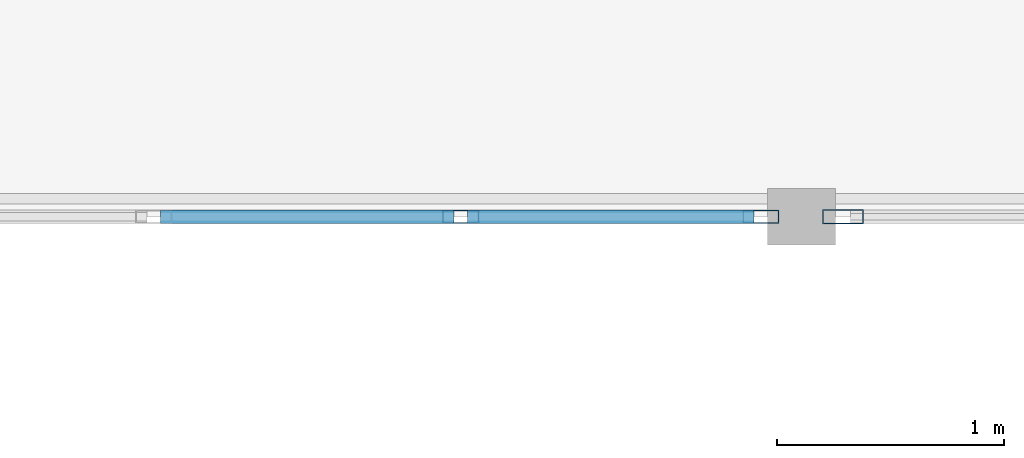
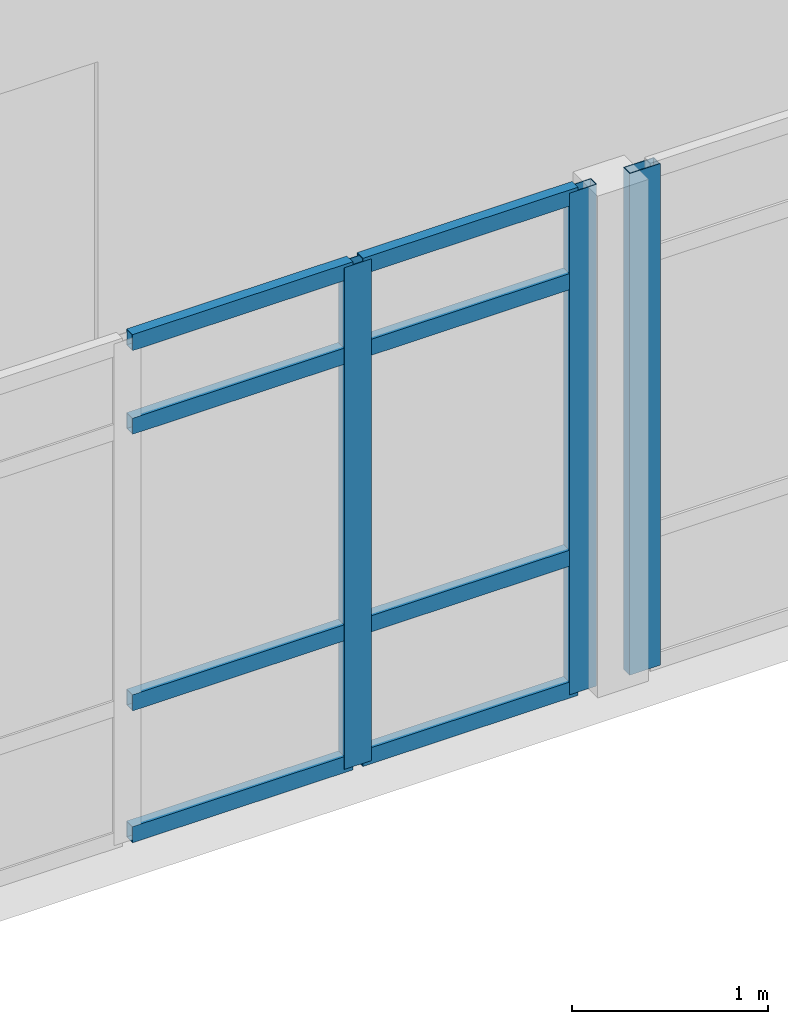
# One storey, part 15 of 37: 11 members, 2 elements without a shape of their own.
"""IFC4 building model written with IfcOpenShell, lengths in metres."""

import ifcopenshell
import ifcopenshell.guid

model = None  # the IFC model being written
_history = None  # IfcOwnerHistory: only IFC2X3 demands one
_inside = {}  # id of a spatial element -> (the spatial element, [elements in it])
_under = {}  # id of a project, library or spatial element -> (it, [spatial elements below it])
_declared = {}  # id of a project -> (the project, [libraries it declares])
_typed = {}  # id of a type object -> (the type object, [elements of that type])
_made_of = {}  # id of a material, layer set ... -> (it, [elements and type objects made of it])


def new_model(schema):
    """Start an empty IFC model of exactly this schema.

    Asked for "IFC4X3", IfcOpenShell would pick the latest addendum, in which some entities
    have other attributes; the version numbers below select the first issue.
    IFC2X3 requires an IfcOwnerHistory on every rooted entity: one is made here for all.
    """
    global model, _history
    if schema == "IFC4X3":
        model = ifcopenshell.file(schema_version=(4, 3, 0, 0))
    else:
        model = ifcopenshell.file(schema=schema)
    _inside.clear()
    _under.clear()
    _declared.clear()
    _typed.clear()
    _made_of.clear()
    _history = None
    if model.schema == "IFC2X3":
        org = make("IfcOrganization", Name="unknown")
        user = make(
            "IfcPersonAndOrganization",
            ThePerson=make("IfcPerson", FamilyName="unknown"),
            TheOrganization=org,
        )
        app = make(
            "IfcApplication",
            ApplicationDeveloper=org,
            Version="unknown",
            ApplicationFullName="unknown",
            ApplicationIdentifier="unknown",
        )
        _history = make(
            "IfcOwnerHistory",
            OwningUser=user,
            OwningApplication=app,
            ChangeAction="ADDED",
            CreationDate=0,
        )
    return model


def make(cls, **values):
    """One entity of the class cls with the attributes given. An attribute that is None is left unset."""
    return model.create_entity(
        cls, **{name: value for name, value in values.items() if value is not None}
    )


def rooted(cls, **values):
    """An entity with a GlobalId (a new one), such as an element, a storey or a relation."""
    return make(cls, GlobalId=ifcopenshell.guid.new(), OwnerHistory=_history, **values)


def si_unit(unit_type, name, prefix=None):
    """IfcSIUnit, for example si_unit("LENGTHUNIT", "METRE", prefix="MILLI")."""
    return make("IfcSIUnit", UnitType=unit_type, Prefix=prefix, Name=name)


def assignment(units):
    """IfcUnitAssignment: the units of a project."""
    return None if units is None else make("IfcUnitAssignment", Units=units)


def point(xyz):
    """IfcCartesianPoint."""
    return None if xyz is None else make("IfcCartesianPoint", Coordinates=xyz)


def direction(xyz):
    """IfcDirection."""
    return None if xyz is None else make("IfcDirection", DirectionRatios=xyz)


def frame(location, z_axis=None, x_axis=None):
    """IfcAxis2Placement3D, a coordinate frame: its origin and axes. An axis left out is left unset."""
    return make(
        "IfcAxis2Placement3D",
        Location=point(location),
        Axis=direction(z_axis),
        RefDirection=direction(x_axis),
    )


def frame_2d(location, x_axis=None):
    """IfcAxis2Placement2D, a coordinate frame in the plane: its origin and x axis."""
    return make(
        "IfcAxis2Placement2D", Location=point(location), RefDirection=direction(x_axis)
    )


def origin():
    """The frame at (0, 0, 0) with its axes left unset."""
    return frame((0.0, 0.0, 0.0))


def origin_2d():
    """The frame at (0, 0) in the plane with its x axis left unset."""
    return frame_2d((0.0, 0.0))


def place(relative_to, where):
    """IfcLocalPlacement: puts the frame where relative to a parent placement (None: the world)."""
    return make(
        "IfcLocalPlacement", PlacementRelTo=relative_to, RelativePlacement=where
    )


def context(
    kind, dimensions, precision=None, world=None, true_north=None, identifier=None
):
    """IfcGeometricRepresentationContext, for example the 3D "Model" context."""
    return make(
        "IfcGeometricRepresentationContext",
        ContextIdentifier=identifier,
        ContextType=kind,
        CoordinateSpaceDimension=dimensions,
        Precision=precision,
        WorldCoordinateSystem=world,
        TrueNorth=true_north,
    )


def subcontext(parent, identifier, kind, view, scale=None):
    """IfcGeometricRepresentationSubContext, for example "Body" below "Model"."""
    return make(
        "IfcGeometricRepresentationSubContext",
        ContextIdentifier=identifier,
        ContextType=kind,
        ParentContext=parent,
        TargetScale=scale,
        TargetView=view,
    )


def project(units=None, contexts=None):
    """IfcProject with its units and contexts."""
    return rooted(
        "IfcProject",
        Name="project",
        RepresentationContexts=contexts,
        UnitsInContext=assignment(units),
    )


def spatial(cls, under=None, at=None, **own):
    """A site, building, storey or space (cls), placed at a placement, below another one or the project."""
    s = rooted(cls, ObjectPlacement=at, **own)
    if under is not None:
        _under.setdefault(under.id(), (under, []))[1].append(s)
    return s


def profile(cls, at=None, kind="AREA", **sizes):
    """A parametric profile (cls). Its sizes go by their IFC names, for example OverallWidth=200.0."""
    return make(cls, ProfileType=kind, Position=at, **sizes)


def hollow_rectangle(**sizes):
    """IfcRectangleHollowProfileDef."""
    return profile("IfcRectangleHollowProfileDef", **sizes)


def extrude(swept, where, along, depth):
    """IfcExtrudedAreaSolid: the profile swept, set in the frame where, extruded along a direction by depth."""
    return make(
        "IfcExtrudedAreaSolid",
        SweptArea=swept,
        Position=where,
        ExtrudedDirection=direction(along),
        Depth=depth,
    )


def shape(context_of_items, identifier, shape_type, items):
    """IfcShapeRepresentation: the items that make up one representation, for example the "Body"."""
    return make(
        "IfcShapeRepresentation",
        ContextOfItems=context_of_items,
        RepresentationIdentifier=identifier,
        RepresentationType=shape_type,
        Items=items,
    )


def material(Name=None, Category=None):
    """IfcMaterial."""
    return make("IfcMaterial", Name=Name, Category=Category)


def layer(
    of_material, thickness, ventilated=None, Name=None, Category=None, Priority=None
):
    """IfcMaterialLayer: one layer of a wall or slab, of a material (None: an air gap)."""
    return make(
        "IfcMaterialLayer",
        Material=of_material,
        LayerThickness=thickness,
        IsVentilated=ventilated,
        Name=Name,
        Category=Category,
        Priority=Priority,
    )


def layer_set(layers, Name=None):
    """IfcMaterialLayerSet."""
    return make("IfcMaterialLayerSet", MaterialLayers=layers, LayerSetName=Name)


def material_profile(
    of_material, cross_section, Name=None, Category=None, Priority=None
):
    """IfcMaterialProfile: a cross section and its material."""
    return make(
        "IfcMaterialProfile",
        Name=Name,
        Material=of_material,
        Profile=cross_section,
        Priority=Priority,
        Category=Category,
    )


def profile_set(profiles, Name=None, composite=None):
    """IfcMaterialProfileSet."""
    return make(
        "IfcMaterialProfileSet",
        Name=Name,
        MaterialProfiles=profiles,
        CompositeProfile=composite,
    )


def made_of(thing, what):
    """Note that an element or type object is made of a material, layer set ...; save() writes the relation."""
    if what is not None:
        _made_of.setdefault(what.id(), (what, []))[1].append(thing)
    return thing


def type_object(cls, material=None, **own):
    """A type object (cls), such as IfcWallType, which elements share."""
    return made_of(rooted(cls, **own), material)


def element(
    cls,
    number,
    at=None,
    inside=None,
    cuts=None,
    type_object=None,
    material=None,
    context=None,
    identifier="Body",
    shape_type=None,
    held_by="IfcProductDefinitionShape",
    body=None,
    shapes=None,
    **own,
):
    """One element of the class cls, such as IfcWall. Its Tag is "e" and its number.

    at: its placement. inside: the storey or other place that contains it. cuts: it is an
    opening in that element (IfcRelVoidsElement). A single representation is given by context,
    identifier, shape_type and body (its items); several are given by shapes. held_by: the class
    of the entity that holds the representations. save() writes the other relations.
    """
    e = rooted(cls, Tag="e%d" % number, ObjectPlacement=at, **own)
    if body is not None:
        shapes = [shape(context, identifier, shape_type, body)]
    if shapes is not None:
        e.Representation = make(held_by, Representations=shapes)
    if inside is not None:
        _inside.setdefault(inside.id(), (inside, []))[1].append(e)
    if cuts is not None:
        rooted(
            "IfcRelVoidsElement", RelatingBuildingElement=cuts, RelatedOpeningElement=e
        )
    if type_object is not None:
        _typed.setdefault(type_object.id(), (type_object, []))[1].append(e)
    return made_of(e, material)


def aggregate(whole, parts):
    """IfcRelAggregates: a whole, such as a stair, and the parts it consists of."""
    return rooted("IfcRelAggregates", RelatingObject=whole, RelatedObjects=parts)


def save(model, path):
    """Write the relations noted so far, then the file.

    IfcRelAggregates (storeys below a building ...), IfcRelContainedInSpatialStructure (elements
    in a storey), IfcRelDefinesByType, IfcRelAssociatesMaterial and IfcRelDeclares: one each for
    every whole, place, type object, material and project.
    """
    for whole, parts in _under.values():
        aggregate(whole, parts)
    for where, things in _inside.values():
        rooted(
            "IfcRelContainedInSpatialStructure",
            RelatedElements=things,
            RelatingStructure=where,
        )
    for kind, things in _typed.values():
        rooted("IfcRelDefinesByType", RelatedObjects=things, RelatingType=kind)
    for what, things in _made_of.values():
        rooted("IfcRelAssociatesMaterial", RelatedObjects=things, RelatingMaterial=what)
    for by, libraries in _declared.values():
        rooted("IfcRelDeclares", RelatingContext=by, RelatedDefinitions=libraries)
    model.write(path)


model = new_model("IFC4")

# Units and contexts
model_context = context("Model", 3, precision=1e-05, world=origin(), true_north=direction((0.0, 1.0)))
body_context = subcontext(model_context, "Body", "Model", "MODEL_VIEW")
ifc_project = project(units=[si_unit("LENGTHUNIT", "METRE"), si_unit("AREAUNIT", "SQUARE_METRE"), si_unit("VOLUMEUNIT", "CUBIC_METRE"), si_unit("PLANEANGLEUNIT", "RADIAN"), si_unit("MASSUNIT", "GRAM", prefix="KILO")], contexts=[model_context])

# Site, building, storey
site_placement = place(None, origin())
site = spatial("IfcSite", under=ifc_project, at=site_placement, CompositionType="ELEMENT")
building_placement = place(site_placement, origin())
building = spatial("IfcBuilding", under=site, at=building_placement, Name="Fikremerkos Civic Library", CompositionType="ELEMENT")
storey_placement = place(building_placement, frame((0.0, 0.0, 23.39990234375)))
storey = spatial("IfcBuildingStorey", under=building, at=storey_placement, Name="L05", CompositionType="ELEMENT", Elevation=23.39990234375)

# Curtain wall, member
ifc_material = material(Name="Anodized aluminium Frame", Category="aluminium")
ifc_layer_1 = layer(ifc_material, 0.159912109375, Name="Anodized aluminium Frame")
ifc_layer_set_1 = layer_set([ifc_layer_1], Name="Anodized aluminium Frame")
curtain_wall_type_1 = type_object("IfcCurtainWallType", Name="Unitised curtain wall CW-13 3700x3200", PredefinedType="USERDEFINED", material=ifc_layer_set_1)
curtain_wall_1_placement = place(storey_placement, origin())
curtain_wall_1 = element("IfcCurtainWall", 1, at=curtain_wall_1_placement, inside=storey, type_object=curtain_wall_type_1, Name="Unitised curtain wall CW-13 L05 #283", ObjectType="UNITISED CURTAIN WALL", PredefinedType="USERDEFINED")
ifc_material_profile_1 = material_profile(ifc_material, hollow_rectangle(XDim=0.06494140625, YDim=0.179931640625, WallThickness=0.00439453125, at=origin_2d()), Name="ALU 180x65x4.5")
ifc_profile_set_1 = profile_set([ifc_material_profile_1], Name="Anodized aluminium Frame")
member_type_1 = type_object("IfcMemberType", Name="Curtain mullion CWM-01 ALU 180x65x4.5", PredefinedType="MULLION", material=ifc_profile_set_1)
member_1_placement = place(storey_placement, frame((95.815185546875, 21.60009765625, 0.0), z_axis=(0.0, 0.0, 1.0), x_axis=(0.0, -1.0, 0.0)))
member_1 = element("IfcMember", 2, at=member_1_placement, type_object=member_type_1, Name="CW-13 mullion 4", PredefinedType="MULLION", context=body_context, shape_type="SweptSolid", body=[
    extrude(hollow_rectangle(XDim=0.06494140625, YDim=0.179931640625, WallThickness=0.00439453125, at=origin_2d()), origin(), (0.0, 0.0, 1.0), 3.1201171875),
])
aggregate(curtain_wall_1, [member_1])

# Curtain wall, members
ifc_layer_2 = layer(ifc_material, 0.159912109375, Name="Anodized aluminium Frame")
ifc_layer_set_2 = layer_set([ifc_layer_2], Name="Anodized aluminium Frame")
curtain_wall_type_2 = type_object("IfcCurtainWallType", Name="Unitised curtain wall CW-14 4100x3200", PredefinedType="USERDEFINED", material=ifc_layer_set_2)
curtain_wall_2_placement = place(storey_placement, origin())
curtain_wall_2 = element("IfcCurtainWall", 3, at=curtain_wall_2_placement, inside=storey, type_object=curtain_wall_type_2, Name="Unitised curtain wall CW-14 L05 #284", ObjectType="UNITISED CURTAIN WALL", PredefinedType="USERDEFINED")
ifc_material_profile_2 = material_profile(ifc_material, hollow_rectangle(XDim=0.06005859375, YDim=0.159912109375, WallThickness=0.00390625, at=origin_2d()), Name="ALU 160x60x4")
ifc_profile_set_2 = profile_set([ifc_material_profile_2], Name="Anodized aluminium Frame")
member_type_2 = type_object("IfcMemberType", Name="Curtain mullion CWM-02 ALU 160x60x4", PredefinedType="MULLION", material=ifc_profile_set_2)
member_2_placement = place(storey_placement, frame((95.45263671875, 21.60009765625, 0.0), z_axis=(0.0, 0.0, 1.0), x_axis=(0.0, -1.0, 0.0)))
member_2 = element("IfcMember", 4, at=member_2_placement, type_object=member_type_2, Name="CW-14 mullion 1", PredefinedType="MULLION", context=body_context, shape_type="SweptSolid", body=[
    extrude(hollow_rectangle(XDim=0.06005859375, YDim=0.159912109375, WallThickness=0.00390625, at=origin_2d()), origin(), (0.0, 0.0, 1.0), 3.1201171875),
])
member_3_placement = place(storey_placement, frame((94.12744140625, 21.60009765625, 0.0), z_axis=(0.0, 0.0, 1.0), x_axis=(0.0, -1.0, 0.0)))
member_3 = element("IfcMember", 5, at=member_3_placement, type_object=member_type_2, Name="CW-14 mullion 2", PredefinedType="MULLION", context=body_context, shape_type="SweptSolid", body=[
    extrude(hollow_rectangle(XDim=0.06005859375, YDim=0.159912109375, WallThickness=0.00390625, at=origin_2d()), origin(), (0.0, 0.0, 1.0), 3.1201171875),
])
ifc_material_profile_3 = material_profile(ifc_material, hollow_rectangle(XDim=0.06005859375, YDim=0.10009765625, WallThickness=0.00390625, at=origin_2d()), Name="ALU 100x60x4")
ifc_profile_set_3 = profile_set([ifc_material_profile_3], Name="Anodized aluminium Frame")
member_type_3 = type_object("IfcMemberType", Name="Curtain transom CWT-03 ALU 100x60x4", PredefinedType="USERDEFINED", material=ifc_profile_set_3)
member_4_placement = place(storey_placement, frame((95.422607421875, 21.60009765625, 0.030029296875), z_axis=(-1.0, 0.0, 0.0), x_axis=(0.0, -1.0, 0.0)))
member_4 = element("IfcMember", 6, at=member_4_placement, type_object=member_type_3, Name="CW-14 transom 1.1", ObjectType="TRANSOM", PredefinedType="USERDEFINED", context=body_context, shape_type="SweptSolid", body=[
    extrude(hollow_rectangle(XDim=0.06005859375, YDim=0.10009765625, WallThickness=0.00390625, at=origin_2d()), origin(), (0.0, 0.0, 1.0), 1.26513671875),
])
member_5_placement = place(storey_placement, frame((95.422607421875, 21.60009765625, 0.85009765625), z_axis=(-1.0, 0.0, 0.0), x_axis=(0.0, -1.0, 0.0)))
member_5 = element("IfcMember", 7, at=member_5_placement, type_object=member_type_3, Name="CW-14 transom 1.2", ObjectType="TRANSOM", PredefinedType="USERDEFINED", context=body_context, shape_type="SweptSolid", body=[
    extrude(hollow_rectangle(XDim=0.06005859375, YDim=0.10009765625, WallThickness=0.00390625, at=origin_2d()), origin(), (0.0, 0.0, 1.0), 1.26513671875),
])
member_6_placement = place(storey_placement, frame((95.422607421875, 21.60009765625, 2.570068359375), z_axis=(-1.0, 0.0, 0.0), x_axis=(0.0, -1.0, 0.0)))
member_6 = element("IfcMember", 8, at=member_6_placement, type_object=member_type_3, Name="CW-14 transom 1.3", ObjectType="TRANSOM", PredefinedType="USERDEFINED", context=body_context, shape_type="SweptSolid", body=[
    extrude(hollow_rectangle(XDim=0.06005859375, YDim=0.10009765625, WallThickness=0.00390625, at=origin_2d()), origin(), (0.0, 0.0, 1.0), 1.26513671875),
])
member_7_placement = place(storey_placement, frame((95.422607421875, 21.60009765625, 3.090087890625), z_axis=(-1.0, 0.0, 0.0), x_axis=(0.0, -1.0, 0.0)))
member_7 = element("IfcMember", 9, at=member_7_placement, type_object=member_type_3, Name="CW-14 transom 1.4", ObjectType="TRANSOM", PredefinedType="USERDEFINED", context=body_context, shape_type="SweptSolid", body=[
    extrude(hollow_rectangle(XDim=0.06005859375, YDim=0.10009765625, WallThickness=0.00390625, at=origin_2d()), origin(), (0.0, 0.0, 1.0), 1.26513671875),
])
member_8_placement = place(storey_placement, frame((94.09765625, 21.60009765625, 0.030029296875), z_axis=(-1.0, 0.0, 0.0), x_axis=(0.0, -1.0, 0.0)))
member_8 = element("IfcMember", 10, at=member_8_placement, type_object=member_type_3, Name="CW-14 transom 2.1", ObjectType="TRANSOM", PredefinedType="USERDEFINED", context=body_context, shape_type="SweptSolid", body=[
    extrude(hollow_rectangle(XDim=0.06005859375, YDim=0.10009765625, WallThickness=0.00390625, at=origin_2d()), origin(), (0.0, 0.0, 1.0), 1.295166015625),
])
member_9_placement = place(storey_placement, frame((94.09765625, 21.60009765625, 0.85009765625), z_axis=(-1.0, 0.0, 0.0), x_axis=(0.0, -1.0, 0.0)))
member_9 = element("IfcMember", 11, at=member_9_placement, type_object=member_type_3, Name="CW-14 transom 2.2", ObjectType="TRANSOM", PredefinedType="USERDEFINED", context=body_context, shape_type="SweptSolid", body=[
    extrude(hollow_rectangle(XDim=0.06005859375, YDim=0.10009765625, WallThickness=0.00390625, at=origin_2d()), origin(), (0.0, 0.0, 1.0), 1.295166015625),
])
member_10_placement = place(storey_placement, frame((94.09765625, 21.60009765625, 2.570068359375), z_axis=(-1.0, 0.0, 0.0), x_axis=(0.0, -1.0, 0.0)))
member_10 = element("IfcMember", 12, at=member_10_placement, type_object=member_type_3, Name="CW-14 transom 2.3", ObjectType="TRANSOM", PredefinedType="USERDEFINED", context=body_context, shape_type="SweptSolid", body=[
    extrude(hollow_rectangle(XDim=0.06005859375, YDim=0.10009765625, WallThickness=0.00390625, at=origin_2d()), origin(), (0.0, 0.0, 1.0), 1.295166015625),
])
member_11_placement = place(storey_placement, frame((94.09765625, 21.60009765625, 3.090087890625), z_axis=(-1.0, 0.0, 0.0), x_axis=(0.0, -1.0, 0.0)))
member_11 = element("IfcMember", 13, at=member_11_placement, type_object=member_type_3, Name="CW-14 transom 2.4", ObjectType="TRANSOM", PredefinedType="USERDEFINED", context=body_context, shape_type="SweptSolid", body=[
    extrude(hollow_rectangle(XDim=0.06005859375, YDim=0.10009765625, WallThickness=0.00390625, at=origin_2d()), origin(), (0.0, 0.0, 1.0), 1.295166015625),
])
aggregate(curtain_wall_2, [member_2, member_3, member_4, member_5, member_6, member_7, member_8, member_9, member_10, member_11])

save(model, "model.ifc")
